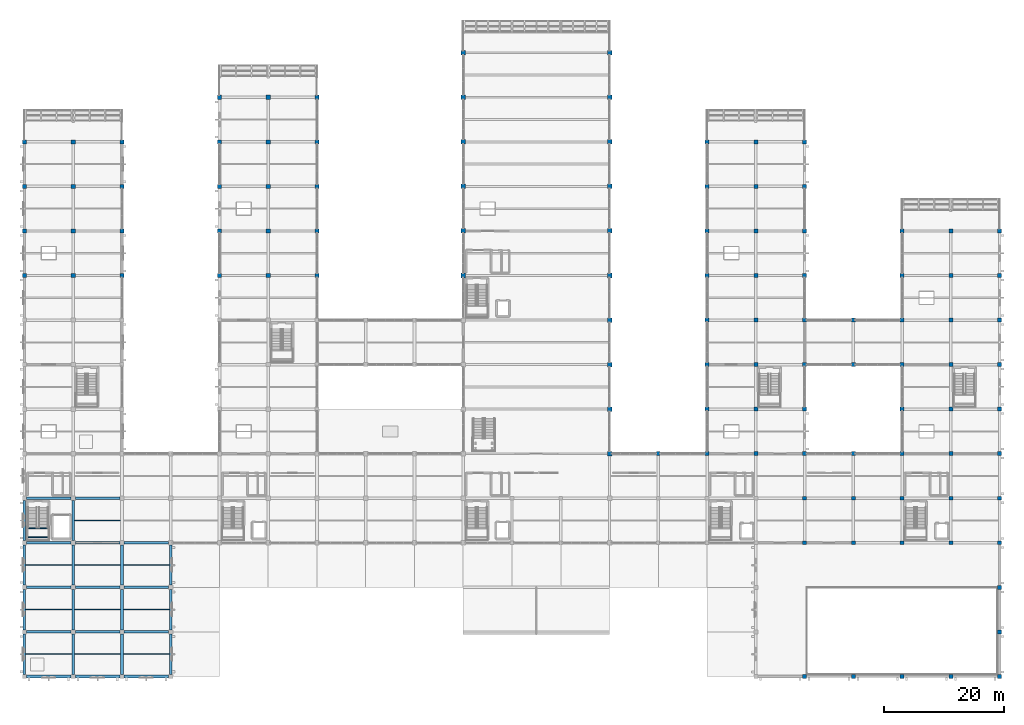
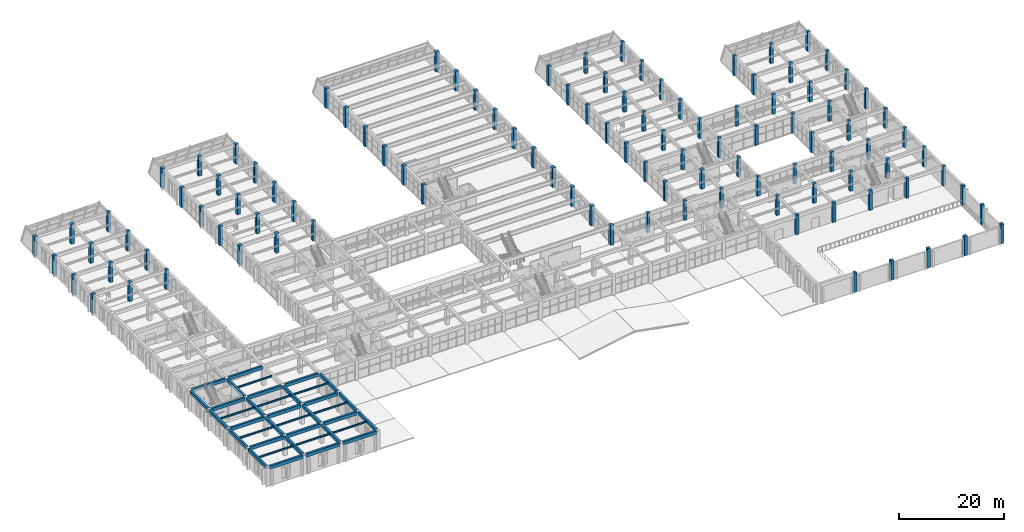
# One storey, part 3 of 161: 106 columns, 40 beams.
"""IFC4 building model written with IfcOpenShell, lengths in metres."""

from ifc_helpers import new_model, si_unit, direction, frame, origin, origin_2d, place, context, subcontext, project, spatial, rectangle, i_section, extrude, material, material_profile, profile_set, type_object, element, save


model = new_model("IFC4")

# Units and contexts
model_context = context("Model", 3, precision=1e-05, world=origin(), true_north=direction((0.0, 1.0)))
body_context = subcontext(model_context, "Body", "Model", "MODEL_VIEW")
ifc_project = project(units=[si_unit("LENGTHUNIT", "METRE"), si_unit("AREAUNIT", "SQUARE_METRE"), si_unit("VOLUMEUNIT", "CUBIC_METRE"), si_unit("PLANEANGLEUNIT", "RADIAN"), si_unit("MASSUNIT", "GRAM", prefix="KILO")], contexts=[model_context])

# Site, building, storey
site_placement = place(None, origin())
site = spatial("IfcSite", under=ifc_project, at=site_placement, CompositionType="ELEMENT")
building_placement = place(site_placement, origin())
building = spatial("IfcBuilding", under=site, at=building_placement, Name="Cimatlan Art Gallery", CompositionType="ELEMENT")
storey_placement = place(building_placement, frame((0.0, 0.0, 5.39990234375)))
storey = spatial("IfcBuildingStorey", under=building, at=storey_placement, Name="L01", CompositionType="ELEMENT", Elevation=5.39990234375)

# Columns
ifc_material_1 = material(Name="Concrete C45/55", Category="concrete")
ifc_material_profile_1 = material_profile(ifc_material_1, rectangle(XDim=0.64990234375, YDim=0.64990234375, at=origin_2d()), Name="RC650X650")
ifc_profile_set_1 = profile_set([ifc_material_profile_1], Name="Concrete C45/55")
column_type_1 = type_object("IfcColumnType", Name="COL-RC-650", PredefinedType="COLUMN", material=ifc_profile_set_1)
for number, where, z_axis, x_axis, name in (
    (1, (107.300048828125, 38.699951171875, 0.0), (0.0, 0.0, 1.0), (1.0, 0.0, 0.0), "COL-L01-13-05"),
    (2, (115.39990234375, 38.699951171875, 0.0), (0.0, 0.0, 1.0), (1.0, 0.0, 0.0), "COL-L01-14-05"),
    (3, (115.39990234375, 46.10009765625, 0.0), (0.0, 0.0, 1.0), (1.0, 0.0, 0.0), "COL-L01-14-06"),
    (4, (115.39990234375, 53.5, 0.0), (0.0, 0.0, 1.0), (1.0, 0.0, 0.0), "COL-L01-14-07"),
    (5, (115.39990234375, 60.89990234375, 0.0), (0.0, 0.0, 1.0), (1.0, 0.0, 0.0), "COL-L01-14-08"),
    (6, (115.39990234375, 68.300048828125, 0.0), (0.0, 0.0, 1.0), (1.0, 0.0, 0.0), "COL-L01-14-09"),
    (7, (115.39990234375, 75.699951171875, 0.0), (0.0, 0.0, 1.0), (1.0, 0.0, 0.0), "COL-L01-14-10"),
    (8, (115.39990234375, 83.10009765625, 0.0), (0.0, 0.0, 1.0), (1.0, 0.0, 0.0), "COL-L01-14-11"),
    (9, (115.39990234375, 90.5, 0.0), (0.0, 0.0, 1.0), (1.0, 0.0, 0.0), "COL-L01-14-12"),
    (10, (123.5, 38.699951171875, 0.0), (0.0, 0.0, 1.0), (1.0, 0.0, 0.0), "COL-L01-15-05"),
    (11, (123.5, 46.10009765625, 0.0), (0.0, 0.0, 1.0), (1.0, 0.0, 0.0), "COL-L01-15-06"),
    (12, (123.5, 53.5, 0.0), (0.0, 0.0, 1.0), (1.0, 0.0, 0.0), "COL-L01-15-07"),
    (13, (123.5, 60.89990234375, 0.0), (0.0, 0.0, 1.0), (1.0, 0.0, 0.0), "COL-L01-15-08"),
    (14, (123.5, 68.300048828125, 0.0), (0.0, 0.0, 1.0), (1.0, 0.0, 0.0), "COL-L01-15-09"),
    (15, (123.5, 75.699951171875, 0.0), (0.0, 0.0, 1.0), (1.0, 0.0, 0.0), "COL-L01-15-10"),
    (16, (123.5, 83.10009765625, 0.0), (0.0, 0.0, 1.0), (1.0, 0.0, 0.0), "COL-L01-15-11"),
    (17, (123.5, 90.5, 0.0), (0.0, 0.0, 1.0), (1.0, 0.0, 0.0), "COL-L01-15-12"),
    (18, (131.60009765625, 1.699951171875, 0.0), (0.0, 0.0, 1.0), (1.0, 0.0, 0.0), "COL-L01-16-00"),
    (19, (131.60009765625, 23.89990234375, 0.0), (0.0, 0.0, 1.0), (1.0, 0.0, 0.0), "COL-L01-16-03"),
    (20, (131.60009765625, 31.300048828125, 0.0), (0.0, 0.0, 1.0), (1.0, 0.0, 0.0), "COL-L01-16-04"),
    (21, (131.60009765625, 38.699951171875, 0.0), (0.0, 0.0, 1.0), (1.0, 0.0, 0.0), "COL-L01-16-05"),
    (22, (131.60009765625, 46.10009765625, 0.0), (0.0, 0.0, 1.0), (1.0, 0.0, 0.0), "COL-L01-16-06"),
    (23, (131.60009765625, 53.5, 0.0), (0.0, 0.0, 1.0), (1.0, 0.0, 0.0), "COL-L01-16-07"),
    (24, (131.60009765625, 60.89990234375, 0.0), (0.0, 0.0, 1.0), (1.0, 0.0, 0.0), "COL-L01-16-08"),
    (25, (131.60009765625, 68.300048828125, 0.0), (0.0, 0.0, 1.0), (1.0, 0.0, 0.0), "COL-L01-16-09"),
    (26, (131.60009765625, 75.699951171875, 0.0), (0.0, 0.0, 1.0), (1.0, 0.0, 0.0), "COL-L01-16-10"),
    (27, (131.60009765625, 83.10009765625, 0.0), (0.0, 0.0, 1.0), (1.0, 0.0, 0.0), "COL-L01-16-11"),
    (28, (131.60009765625, 90.5, 0.0), (0.0, 0.0, 1.0), (1.0, 0.0, 0.0), "COL-L01-16-12"),
    (29, (139.699951171875, 1.699951171875, 0.0), (0.0, 0.0, 1.0), (1.0, 0.0, 0.0), "COL-L01-17-00"),
    (30, (139.699951171875, 23.89990234375, 0.0), (0.0, 0.0, 1.0), (1.0, 0.0, 0.0), "COL-L01-17-03"),
    (31, (139.699951171875, 31.300048828125, 0.0), (0.0, 0.0, 1.0), (1.0, 0.0, 0.0), "COL-L01-17-04"),
    (32, (139.699951171875, 38.699951171875, 0.0), (0.0, 0.0, 1.0), (1.0, 0.0, 0.0), "COL-L01-17-05"),
    (33, (139.699951171875, 53.5, 0.0), (0.0, 0.0, 1.0), (1.0, 0.0, 0.0), "COL-L01-17-07"),
    (34, (139.699951171875, 60.89990234375, 0.0), (0.0, 0.0, 1.0), (1.0, 0.0, 0.0), "COL-L01-17-08"),
    (35, (147.800048828125, 1.699951171875, 0.0), (0.0, 0.0, 1.0), (1.0, 0.0, 0.0), "COL-L01-18-00"),
    (36, (147.800048828125, 23.89990234375, 0.0), (0.0, 0.0, 1.0), (1.0, 0.0, 0.0), "COL-L01-18-03"),
    (37, (147.800048828125, 31.300048828125, 0.0), (0.0, 0.0, 1.0), (1.0, 0.0, 0.0), "COL-L01-18-04"),
    (38, (147.800048828125, 38.699951171875, 0.0), (0.0, 0.0, 1.0), (1.0, 0.0, 0.0), "COL-L01-18-05"),
    (39, (147.800048828125, 46.10009765625, 0.0), (0.0, 0.0, 1.0), (1.0, 0.0, 0.0), "COL-L01-18-06"),
    (40, (147.800048828125, 53.5, 0.0), (0.0, 0.0, 1.0), (1.0, 0.0, 0.0), "COL-L01-18-07"),
    (41, (147.800048828125, 60.89990234375, 0.0), (0.0, 0.0, 1.0), (1.0, 0.0, 0.0), "COL-L01-18-08"),
    (42, (147.800048828125, 68.300048828125, 0.0), (0.0, 0.0, 1.0), (1.0, 0.0, 0.0), "COL-L01-18-09"),
    (43, (147.800048828125, 75.699951171875, 0.0), (0.0, 0.0, 1.0), (1.0, 0.0, 0.0), "COL-L01-18-10"),
    (44, (155.89990234375, 1.699951171875, 0.0), (0.0, 0.0, 1.0), (1.0, 0.0, 0.0), "COL-L01-19-00"),
    (45, (155.89990234375, 23.89990234375, 0.0), (0.0, 0.0, 1.0), (1.0, 0.0, 0.0), "COL-L01-19-03"),
    (46, (155.89990234375, 31.300048828125, 0.0), (0.0, 0.0, 1.0), (1.0, 0.0, 0.0), "COL-L01-19-04"),
    (47, (155.89990234375, 38.699951171875, 0.0), (0.0, 0.0, 1.0), (1.0, 0.0, 0.0), "COL-L01-19-05"),
    (48, (155.89990234375, 46.10009765625, 0.0), (0.0, 0.0, 1.0), (1.0, 0.0, 0.0), "COL-L01-19-06"),
    (49, (155.89990234375, 53.5, 0.0), (0.0, 0.0, 1.0), (1.0, 0.0, 0.0), "COL-L01-19-07"),
    (50, (155.89990234375, 60.89990234375, 0.0), (0.0, 0.0, 1.0), (1.0, 0.0, 0.0), "COL-L01-19-08"),
    (51, (155.89990234375, 68.300048828125, 0.0), (0.0, 0.0, 1.0), (1.0, 0.0, 0.0), "COL-L01-19-09"),
    (52, (155.89990234375, 75.699951171875, 0.0), (0.0, 0.0, 1.0), (1.0, 0.0, 0.0), "COL-L01-19-10"),
    (53, (164.0, 1.699951171875, 0.0), (0.0, 0.0, 1.0), (1.0, 0.0, 0.0), "COL-L01-20-00"),
    (54, (164.0, 9.10009765625, 0.0), (0.0, 0.0, 1.0), (1.0, 0.0, 0.0), "COL-L01-20-01"),
    (55, (164.0, 16.5, 0.0), (0.0, 0.0, 1.0), (1.0, 0.0, 0.0), "COL-L01-20-02"),
    (56, (164.0, 23.89990234375, 0.0), (0.0, 0.0, 1.0), (1.0, 0.0, 0.0), "COL-L01-20-03"),
    (57, (164.0, 31.300048828125, 0.0), (0.0, 0.0, 1.0), (1.0, 0.0, 0.0), "COL-L01-20-04"),
    (58, (164.0, 38.699951171875, 0.0), (0.0, 0.0, 1.0), (1.0, 0.0, 0.0), "COL-L01-20-05"),
    (59, (164.0, 46.10009765625, 0.0), (0.0, 0.0, 1.0), (1.0, 0.0, 0.0), "COL-L01-20-06"),
    (60, (164.0, 53.5, 0.0), (0.0, 0.0, 1.0), (1.0, 0.0, 0.0), "COL-L01-20-07"),
    (61, (164.0, 60.89990234375, 0.0), (0.0, 0.0, 1.0), (1.0, 0.0, 0.0), "COL-L01-20-08"),
    (62, (164.0, 68.300048828125, 0.0), (0.0, 0.0, 1.0), (1.0, 0.0, 0.0), "COL-L01-20-09"),
    (63, (164.0, 75.699951171875, 0.0), (0.0, 0.0, 1.0), (1.0, 0.0, 0.0), "COL-L01-20-10"),
):
    element("IfcColumn", number, at=place(storey_placement, frame(where, z_axis=z_axis, x_axis=x_axis)), inside=storey, type_object=column_type_1, Name=name, PredefinedType="COLUMN", context=body_context, shape_type="SweptSolid", body=[
        extrude(rectangle(XDim=0.64990234375, YDim=0.64990234375, at=origin_2d()), origin(), (0.0, 0.0, 1.0), 4.56005859375),
    ])
ifc_material_profile_2 = material_profile(ifc_material_1, rectangle(XDim=0.699951171875, YDim=0.699951171875, at=origin_2d()), Name="RC700X700")
ifc_profile_set_2 = profile_set([ifc_material_profile_2], Name="Concrete C45/55")
column_type_2 = type_object("IfcColumnType", Name="COL-RC-700", PredefinedType="COLUMN", material=ifc_profile_set_2)
for number, where, z_axis, x_axis, name in (
    (64, (2.0, 68.300048828125, 0.0), (0.0, 0.0, 1.0), (1.0, 0.0, 0.0), "COL-L01-00-09"),
    (65, (2.0, 75.699951171875, 0.0), (0.0, 0.0, 1.0), (1.0, 0.0, 0.0), "COL-L01-00-10"),
    (66, (2.0, 83.10009765625, 0.0), (0.0, 0.0, 1.0), (1.0, 0.0, 0.0), "COL-L01-00-11"),
    (67, (2.0, 90.5, 0.0), (0.0, 0.0, 1.0), (1.0, 0.0, 0.0), "COL-L01-00-12"),
    (68, (10.10009765625, 68.300048828125, 0.0), (0.0, 0.0, 1.0), (1.0, 0.0, 0.0), "COL-L01-01-09"),
    (69, (10.10009765625, 75.699951171875, 0.0), (0.0, 0.0, 1.0), (1.0, 0.0, 0.0), "COL-L01-01-10"),
    (70, (10.10009765625, 83.10009765625, 0.0), (0.0, 0.0, 1.0), (1.0, 0.0, 0.0), "COL-L01-01-11"),
    (71, (10.10009765625, 90.5, 0.0), (0.0, 0.0, 1.0), (1.0, 0.0, 0.0), "COL-L01-01-12"),
    (72, (18.199951171875, 68.300048828125, 0.0), (0.0, 0.0, 1.0), (1.0, 0.0, 0.0), "COL-L01-02-09"),
    (73, (18.199951171875, 75.699951171875, 0.0), (0.0, 0.0, 1.0), (1.0, 0.0, 0.0), "COL-L01-02-10"),
    (74, (18.199951171875, 83.10009765625, 0.0), (0.0, 0.0, 1.0), (1.0, 0.0, 0.0), "COL-L01-02-11"),
    (75, (18.199951171875, 90.5, 0.0), (0.0, 0.0, 1.0), (1.0, 0.0, 0.0), "COL-L01-02-12"),
    (76, (34.39990234375, 68.300048828125, 0.0), (0.0, 0.0, 1.0), (1.0, 0.0, 0.0), "COL-L01-04-09"),
    (77, (34.39990234375, 75.699951171875, 0.0), (0.0, 0.0, 1.0), (1.0, 0.0, 0.0), "COL-L01-04-10"),
    (78, (34.39990234375, 83.10009765625, 0.0), (0.0, 0.0, 1.0), (1.0, 0.0, 0.0), "COL-L01-04-11"),
    (79, (34.39990234375, 90.5, 0.0), (0.0, 0.0, 1.0), (1.0, 0.0, 0.0), "COL-L01-04-12"),
    (80, (34.39990234375, 97.89990234375, 0.0), (0.0, 0.0, 1.0), (1.0, 0.0, 0.0), "COL-L01-04-13"),
    (81, (42.5, 68.300048828125, 0.0), (0.0, 0.0, 1.0), (1.0, 0.0, 0.0), "COL-L01-05-09"),
    (82, (42.5, 75.699951171875, 0.0), (0.0, 0.0, 1.0), (1.0, 0.0, 0.0), "COL-L01-05-10"),
    (83, (42.5, 83.10009765625, 0.0), (0.0, 0.0, 1.0), (1.0, 0.0, 0.0), "COL-L01-05-11"),
    (84, (42.5, 90.5, 0.0), (0.0, 0.0, 1.0), (1.0, 0.0, 0.0), "COL-L01-05-12"),
    (85, (42.5, 97.89990234375, 0.0), (0.0, 0.0, 1.0), (1.0, 0.0, 0.0), "COL-L01-05-13"),
    (86, (50.60009765625, 68.300048828125, 0.0), (0.0, 0.0, 1.0), (1.0, 0.0, 0.0), "COL-L01-06-09"),
    (87, (50.60009765625, 75.699951171875, 0.0), (0.0, 0.0, 1.0), (1.0, 0.0, 0.0), "COL-L01-06-10"),
    (88, (50.60009765625, 83.10009765625, 0.0), (0.0, 0.0, 1.0), (1.0, 0.0, 0.0), "COL-L01-06-11"),
    (89, (50.60009765625, 90.5, 0.0), (0.0, 0.0, 1.0), (1.0, 0.0, 0.0), "COL-L01-06-12"),
    (90, (50.60009765625, 97.89990234375, 0.0), (0.0, 0.0, 1.0), (1.0, 0.0, 0.0), "COL-L01-06-13"),
):
    element("IfcColumn", number, at=place(storey_placement, frame(where, z_axis=z_axis, x_axis=x_axis)), inside=storey, type_object=column_type_2, Name=name, PredefinedType="COLUMN", context=body_context, shape_type="SweptSolid", body=[
        extrude(rectangle(XDim=0.699951171875, YDim=0.699951171875, at=origin_2d()), origin(), (0.0, 0.0, 1.0), 4.56005859375),
    ])
ifc_material_profile_3 = material_profile(ifc_material_1, rectangle(XDim=0.75, YDim=0.75, at=origin_2d()), Name="RC750X750")
ifc_profile_set_3 = profile_set([ifc_material_profile_3], Name="Concrete C45/55")
column_type_3 = type_object("IfcColumnType", Name="COL-RC-750", PredefinedType="COLUMN", material=ifc_profile_set_3)
for number, where, z_axis, x_axis, name in (
    (91, (74.89990234375, 68.300048828125, 0.0), (0.0, 0.0, 1.0), (1.0, 0.0, 0.0), "COL-L01-09-09"),
    (92, (74.89990234375, 75.699951171875, 0.0), (0.0, 0.0, 1.0), (1.0, 0.0, 0.0), "COL-L01-09-10"),
    (93, (74.89990234375, 83.10009765625, 0.0), (0.0, 0.0, 1.0), (1.0, 0.0, 0.0), "COL-L01-09-11"),
    (94, (74.89990234375, 90.5, 0.0), (0.0, 0.0, 1.0), (1.0, 0.0, 0.0), "COL-L01-09-12"),
    (95, (74.89990234375, 97.89990234375, 0.0), (0.0, 0.0, 1.0), (1.0, 0.0, 0.0), "COL-L01-09-13"),
    (96, (74.89990234375, 105.300048828125, 0.0), (0.0, 0.0, 1.0), (1.0, 0.0, 0.0), "COL-L01-09-14"),
    (97, (99.199951171875, 38.699951171875, 0.0), (0.0, 0.0, 1.0), (1.0, 0.0, 0.0), "COL-L01-12-05"),
    (98, (99.199951171875, 46.10009765625, 0.0), (0.0, 0.0, 1.0), (1.0, 0.0, 0.0), "COL-L01-12-06"),
    (99, (99.199951171875, 53.5, 0.0), (0.0, 0.0, 1.0), (1.0, 0.0, 0.0), "COL-L01-12-07"),
    (100, (99.199951171875, 60.89990234375, 0.0), (0.0, 0.0, 1.0), (1.0, 0.0, 0.0), "COL-L01-12-08"),
    (101, (99.199951171875, 68.300048828125, 0.0), (0.0, 0.0, 1.0), (1.0, 0.0, 0.0), "COL-L01-12-09"),
    (102, (99.199951171875, 75.699951171875, 0.0), (0.0, 0.0, 1.0), (1.0, 0.0, 0.0), "COL-L01-12-10"),
    (103, (99.199951171875, 83.10009765625, 0.0), (0.0, 0.0, 1.0), (1.0, 0.0, 0.0), "COL-L01-12-11"),
    (104, (99.199951171875, 90.5, 0.0), (0.0, 0.0, 1.0), (1.0, 0.0, 0.0), "COL-L01-12-12"),
    (105, (99.199951171875, 97.89990234375, 0.0), (0.0, 0.0, 1.0), (1.0, 0.0, 0.0), "COL-L01-12-13"),
    (106, (99.199951171875, 105.300048828125, 0.0), (0.0, 0.0, 1.0), (1.0, 0.0, 0.0), "COL-L01-12-14"),
):
    element("IfcColumn", number, at=place(storey_placement, frame(where, z_axis=z_axis, x_axis=x_axis)), inside=storey, type_object=column_type_3, Name=name, PredefinedType="COLUMN", context=body_context, shape_type="SweptSolid", body=[
        extrude(rectangle(XDim=0.75, YDim=0.75, at=origin_2d()), origin(), (0.0, 0.0, 1.0), 4.56005859375),
    ])

# Beams
ifc_material_2 = material(Name="Concrete C40/50", Category="concrete")
ifc_material_profile_4 = material_profile(ifc_material_2, rectangle(XDim=0.449951171875, YDim=0.75, at=origin_2d()), Name="RC450X750")
ifc_profile_set_4 = profile_set([ifc_material_profile_4], Name="Concrete C40/50")
beam_type_1 = type_object("IfcBeamType", Name="BM-RC-450X750", PredefinedType="BEAM", material=ifc_profile_set_4)
for number, where, z_axis, x_axis, name in (
    (107, (2.0, 2.050048828125, 4.18505859375), (0.0, 1.0, 0.0), (-1.0, 0.0, 0.0), "BM-Y-L01-00-00"),
    (108, (2.0, 9.449951171875, 4.18505859375), (0.0, 1.0, 0.0), (-1.0, 0.0, 0.0), "BM-Y-L01-00-01"),
    (109, (2.0, 16.85009765625, 4.18505859375), (0.0, 1.0, 0.0), (-1.0, 0.0, 0.0), "BM-Y-L01-00-02"),
    (110, (2.0, 24.25, 4.18505859375), (0.0, 1.0, 0.0), (-1.0, 0.0, 0.0), "BM-Y-L01-00-03"),
    (111, (10.10009765625, 2.050048828125, 4.18505859375), (0.0, 1.0, 0.0), (-1.0, 0.0, 0.0), "BM-Y-L01-01-00"),
    (112, (10.10009765625, 9.449951171875, 4.18505859375), (0.0, 1.0, 0.0), (-1.0, 0.0, 0.0), "BM-Y-L01-01-01"),
    (113, (10.10009765625, 16.85009765625, 4.18505859375), (0.0, 1.0, 0.0), (-1.0, 0.0, 0.0), "BM-Y-L01-01-02"),
    (114, (10.10009765625, 24.25, 4.18505859375), (0.0, 1.0, 0.0), (-1.0, 0.0, 0.0), "BM-Y-L01-01-03"),
    (115, (18.199951171875, 2.050048828125, 4.18505859375), (0.0, 1.0, 0.0), (-1.0, 0.0, 0.0), "BM-Y-L01-02-00"),
    (116, (18.199951171875, 9.449951171875, 4.18505859375), (0.0, 1.0, 0.0), (-1.0, 0.0, 0.0), "BM-Y-L01-02-01"),
    (117, (18.199951171875, 16.85009765625, 4.18505859375), (0.0, 1.0, 0.0), (-1.0, 0.0, 0.0), "BM-Y-L01-02-02"),
    (118, (26.300048828125, 2.050048828125, 4.18505859375), (0.0, 1.0, 0.0), (-1.0, 0.0, 0.0), "BM-Y-L01-03-00"),
    (119, (26.300048828125, 9.449951171875, 4.18505859375), (0.0, 1.0, 0.0), (-1.0, 0.0, 0.0), "BM-Y-L01-03-01"),
    (120, (26.300048828125, 16.85009765625, 4.18505859375), (0.0, 1.0, 0.0), (-1.0, 0.0, 0.0), "BM-Y-L01-03-02"),
):
    element("IfcBeam", number, at=place(storey_placement, frame(where, z_axis=z_axis, x_axis=x_axis)), inside=storey, type_object=beam_type_1, Name=name, PredefinedType="BEAM", context=body_context, shape_type="SweptSolid", body=[
        extrude(rectangle(XDim=0.449951171875, YDim=0.75, at=origin_2d()), origin(), (0.0, 0.0, 1.0), 6.699951171875),
    ])
for number, where, z_axis, x_axis, name in (
    (121, (2.35009765625, 1.699951171875, 4.18505859375), (1.0, 0.0, 0.0), (0.0, 1.0, 0.0), "BM-X-L01-00-00"),
    (122, (2.35009765625, 9.10009765625, 4.18505859375), (1.0, 0.0, 0.0), (0.0, 1.0, 0.0), "BM-X-L01-00-01"),
    (123, (2.35009765625, 16.5, 4.18505859375), (1.0, 0.0, 0.0), (0.0, 1.0, 0.0), "BM-X-L01-00-02"),
    (124, (2.35009765625, 23.89990234375, 4.18505859375), (1.0, 0.0, 0.0), (0.0, 1.0, 0.0), "BM-X-L01-00-03"),
    (125, (2.35009765625, 31.300048828125, 4.18505859375), (1.0, 0.0, 0.0), (0.0, 1.0, 0.0), "BM-X-L01-00-04"),
):
    element("IfcBeam", number, at=place(storey_placement, frame(where, z_axis=z_axis, x_axis=x_axis)), inside=storey, type_object=beam_type_1, Name=name, PredefinedType="BEAM", context=body_context, shape_type="SweptSolid", body=[
        extrude(rectangle(XDim=0.449951171875, YDim=0.75, at=origin_2d()), origin(), (0.0, 0.0, 1.0), 7.39990234375),
    ])
for number, where, z_axis, x_axis, name in (
    (126, (10.449951171875, 1.699951171875, 4.18505859375), (1.0, 0.0, 0.0), (0.0, 1.0, 0.0), "BM-X-L01-01-00"),
    (127, (10.449951171875, 9.10009765625, 4.18505859375), (1.0, 0.0, 0.0), (0.0, 1.0, 0.0), "BM-X-L01-01-01"),
    (128, (10.449951171875, 16.5, 4.18505859375), (1.0, 0.0, 0.0), (0.0, 1.0, 0.0), "BM-X-L01-01-02"),
    (129, (10.449951171875, 23.89990234375, 4.18505859375), (1.0, 0.0, 0.0), (0.0, 1.0, 0.0), "BM-X-L01-01-03"),
    (130, (10.449951171875, 31.300048828125, 4.18505859375), (1.0, 0.0, 0.0), (0.0, 1.0, 0.0), "BM-X-L01-01-04"),
):
    element("IfcBeam", number, at=place(storey_placement, frame(where, z_axis=z_axis, x_axis=x_axis)), inside=storey, type_object=beam_type_1, Name=name, PredefinedType="BEAM", context=body_context, shape_type="SweptSolid", body=[
        extrude(rectangle(XDim=0.449951171875, YDim=0.75, at=origin_2d()), origin(), (0.0, 0.0, 1.0), 7.400146484375),
    ])
for number, where, z_axis, x_axis, name in (
    (131, (18.550048828125, 1.699951171875, 4.18505859375), (1.0, 0.0, 0.0), (0.0, 1.0, 0.0), "BM-X-L01-02-00"),
    (132, (18.550048828125, 9.10009765625, 4.18505859375), (1.0, 0.0, 0.0), (0.0, 1.0, 0.0), "BM-X-L01-02-01"),
    (133, (18.550048828125, 16.5, 4.18505859375), (1.0, 0.0, 0.0), (0.0, 1.0, 0.0), "BM-X-L01-02-02"),
    (134, (18.550048828125, 23.89990234375, 4.18505859375), (1.0, 0.0, 0.0), (0.0, 1.0, 0.0), "BM-X-L01-02-03"),
):
    element("IfcBeam", number, at=place(storey_placement, frame(where, z_axis=z_axis, x_axis=x_axis)), inside=storey, type_object=beam_type_1, Name=name, PredefinedType="BEAM", context=body_context, shape_type="SweptSolid", body=[
        extrude(rectangle(XDim=0.449951171875, YDim=0.75, at=origin_2d()), origin(), (0.0, 0.0, 1.0), 7.39990234375),
    ])
ifc_material_3 = material(Name="Steel ASTM A992 Grade 50", Category="steel")
ifc_material_profile_5 = material_profile(ifc_material_3, i_section(OverallWidth=0.1650390625, OverallDepth=0.31005859375, WebThickness=0.005859375, FlangeThickness=0.009765625, at=origin_2d()), Name="W12X26")
ifc_profile_set_5 = profile_set([ifc_material_profile_5], Name="Steel ASTM A992 Grade 50")
beam_type_2 = type_object("IfcBeamType", Name="BM-STL-W12X26", PredefinedType="JOIST", material=ifc_profile_set_5)
for number, where, z_axis, x_axis, name in (
    (135, (2.614990234375, 24.800048828125, 2.025146484375), (1.0, 0.0, 0.0), (0.0, 1.0, 0.0), "BM-STR-C1-L01-LH1"),
    (136, (2.614990234375, 26.300048828125, 2.025146484375), (1.0, 0.0, 0.0), (0.0, 1.0, 0.0), "BM-STR-C1-L01-LH2"),
):
    element("IfcBeam", number, at=place(storey_placement, frame(where, z_axis=z_axis, x_axis=x_axis)), inside=storey, type_object=beam_type_2, Name=name, PredefinedType="JOIST", context=body_context, shape_type="SweptSolid", body=[
        extrude(i_section(OverallWidth=0.1650390625, OverallDepth=0.31005859375, WebThickness=0.005859375, FlangeThickness=0.009765625, at=origin_2d()), origin(), (0.0, 0.0, 1.0), 3.2900390625),
    ])
ifc_material_profile_6 = material_profile(ifc_material_3, i_section(OverallWidth=0.177978515625, OverallDepth=0.406982421875, WebThickness=0.0078125, FlangeThickness=0.0126953125, at=origin_2d()), Name="W16X40")
ifc_profile_set_6 = profile_set([ifc_material_profile_6], Name="Steel ASTM A992 Grade 50")
beam_type_3 = type_object("IfcBeamType", Name="BM-STL-W16X40", PredefinedType="JOIST", material=ifc_profile_set_6)
for number, where, z_axis, x_axis, name in (
    (137, (2.22509765625, 5.39990234375, 4.356689453125), (1.0, 0.0, 0.0), (0.0, 1.0, 0.0), "JST-L01-00-00"),
    (138, (2.22509765625, 12.800048828125, 4.356689453125), (1.0, 0.0, 0.0), (0.0, 1.0, 0.0), "JST-L01-00-01"),
    (139, (2.22509765625, 20.199951171875, 4.356689453125), (1.0, 0.0, 0.0), (0.0, 1.0, 0.0), "JST-L01-00-02"),
):
    element("IfcBeam", number, at=place(storey_placement, frame(where, z_axis=z_axis, x_axis=x_axis)), inside=storey, type_object=beam_type_3, Name=name, PredefinedType="JOIST", context=body_context, shape_type="SweptSolid", body=[
        extrude(i_section(OverallWidth=0.177978515625, OverallDepth=0.406982421875, WebThickness=0.0078125, FlangeThickness=0.0126953125, at=origin_2d()), origin(), (0.0, 0.0, 1.0), 7.64990234375),
    ])
for number, where, z_axis, x_axis, name in (
    (140, (10.324951171875, 5.39990234375, 4.356689453125), (1.0, 0.0, 0.0), (0.0, 1.0, 0.0), "JST-L01-01-00"),
    (141, (10.324951171875, 12.800048828125, 4.356689453125), (1.0, 0.0, 0.0), (0.0, 1.0, 0.0), "JST-L01-01-01"),
    (142, (10.324951171875, 20.199951171875, 4.356689453125), (1.0, 0.0, 0.0), (0.0, 1.0, 0.0), "JST-L01-01-02"),
    (143, (10.324951171875, 27.60009765625, 4.356689453125), (1.0, 0.0, 0.0), (0.0, 1.0, 0.0), "JST-L01-01-03"),
):
    element("IfcBeam", number, at=place(storey_placement, frame(where, z_axis=z_axis, x_axis=x_axis)), inside=storey, type_object=beam_type_3, Name=name, PredefinedType="JOIST", context=body_context, shape_type="SweptSolid", body=[
        extrude(i_section(OverallWidth=0.177978515625, OverallDepth=0.406982421875, WebThickness=0.0078125, FlangeThickness=0.0126953125, at=origin_2d()), origin(), (0.0, 0.0, 1.0), 7.650146484375),
    ])
for number, where, z_axis, x_axis, name in (
    (144, (18.425048828125, 5.39990234375, 4.356689453125), (1.0, 0.0, 0.0), (0.0, 1.0, 0.0), "JST-L01-02-00"),
    (145, (18.425048828125, 12.800048828125, 4.356689453125), (1.0, 0.0, 0.0), (0.0, 1.0, 0.0), "JST-L01-02-01"),
    (146, (18.425048828125, 20.199951171875, 4.356689453125), (1.0, 0.0, 0.0), (0.0, 1.0, 0.0), "JST-L01-02-02"),
):
    element("IfcBeam", number, at=place(storey_placement, frame(where, z_axis=z_axis, x_axis=x_axis)), inside=storey, type_object=beam_type_3, Name=name, PredefinedType="JOIST", context=body_context, shape_type="SweptSolid", body=[
        extrude(i_section(OverallWidth=0.177978515625, OverallDepth=0.406982421875, WebThickness=0.0078125, FlangeThickness=0.0126953125, at=origin_2d()), origin(), (0.0, 0.0, 1.0), 7.64990234375),
    ])

save(model, "model.ifc")
